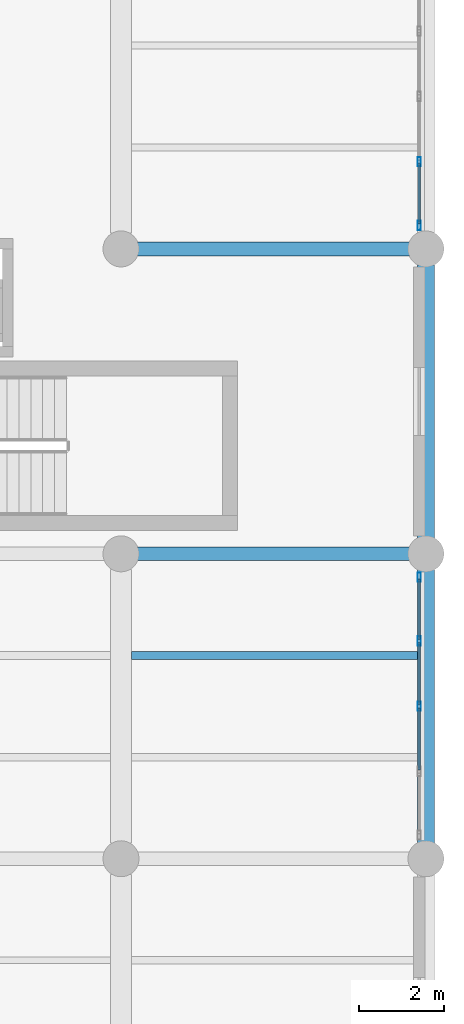
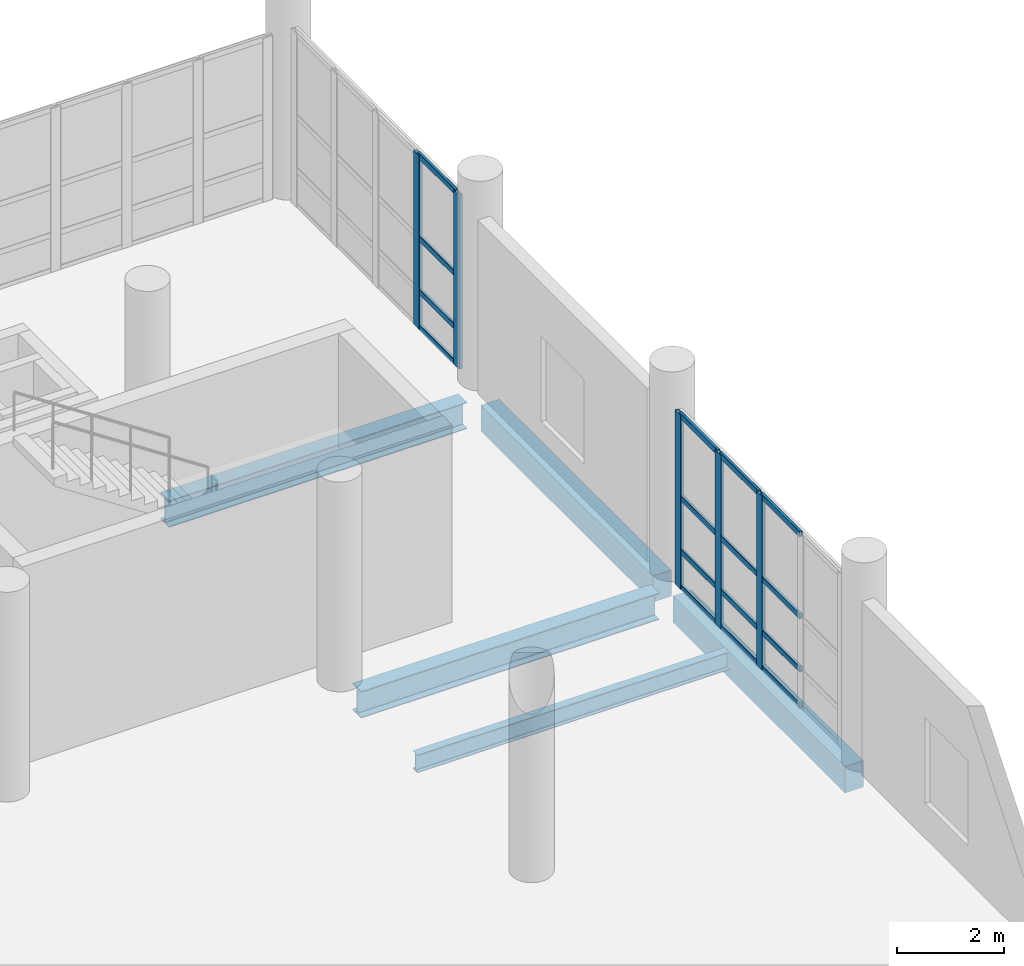
# One storey, part 71 of 127: 21 members, 5 beams, 2 elements without a shape of their own.
"""IFC4 building model written with IfcOpenShell, lengths in metres."""

from ifc_helpers import new_model, si_unit, direction, frame, origin, origin_2d, place, context, subcontext, project, spatial, rectangle, hollow_rectangle, i_section, extrude, material, material_profile, profile_set, type_object, element, aggregate, save


model = new_model("IFC4")

# Units and contexts
model_context = context("Model", 3, precision=1e-05, world=origin(), true_north=direction((0.0, 1.0)))
body_context = subcontext(model_context, "Body", "Model", "MODEL_VIEW")
ifc_project = project(units=[si_unit("LENGTHUNIT", "METRE"), si_unit("AREAUNIT", "SQUARE_METRE"), si_unit("VOLUMEUNIT", "CUBIC_METRE"), si_unit("PLANEANGLEUNIT", "RADIAN"), si_unit("MASSUNIT", "GRAM", prefix="KILO")], contexts=[model_context])

# Site, building, storey
site_placement = place(None, origin())
site = spatial("IfcSite", under=ifc_project, at=site_placement, CompositionType="ELEMENT")
building_placement = place(site_placement, origin())
building = spatial("IfcBuilding", under=site, at=building_placement, Name="Kalmorath City Hall", CompositionType="ELEMENT")
storey_placement = place(building_placement, frame((0.0, 0.0, 5.39990234375)))
storey = spatial("IfcBuildingStorey", under=building, at=storey_placement, Name="L01", CompositionType="ELEMENT", Elevation=5.39990234375)

# Beams
ifc_material_1 = material(Name="Concrete C40/50", Category="concrete")
ifc_material_profile_1 = material_profile(ifc_material_1, rectangle(XDim=0.39990234375, YDim=0.60009765625, at=origin_2d()), Name="RC-BM-400X600")
ifc_profile_set_1 = profile_set([ifc_material_profile_1], Name="Concrete C40/50")
beam_type_1 = type_object("IfcBeamType", Name="Concrete edge beam 400x600", PredefinedType="SPANDREL", material=ifc_profile_set_1)
beam_1_placement = place(storey_placement, frame((165.60009765625, 79.574951171875, -0.6240234375), z_axis=(0.0, 1.0, 0.0), x_axis=(-1.0, 0.0, 0.0)))
element("IfcBeam", 1, at=beam_1_placement, inside=storey, type_object=beam_type_1, Name="L01 girder CB6 Y24/12-13", PredefinedType="SPANDREL", context=body_context, shape_type="SweptSolid", body=[
    extrude(rectangle(XDim=0.39990234375, YDim=0.60009765625, at=origin_2d()), origin(), (0.0, 0.0, 1.0), 6.449951171875),
])
beam_2_placement = place(storey_placement, frame((165.60009765625, 86.77490234375, -0.6240234375), z_axis=(0.0, 1.0, 0.0), x_axis=(-1.0, 0.0, 0.0)))
element("IfcBeam", 2, at=beam_2_placement, inside=storey, type_object=beam_type_1, Name="L01 girder CB6 Y24/13-14", PredefinedType="SPANDREL", context=body_context, shape_type="SweptSolid", body=[
    extrude(rectangle(XDim=0.39990234375, YDim=0.60009765625, at=origin_2d()), origin(), (0.0, 0.0, 1.0), 6.4501953125),
])

# Curtain wall, members
ifc_material_2 = material(Name="Anodised aluminium and laminated glass", Category="aluminium")
curtain_wall_type = type_object("IfcCurtainWallType", Name="Unitised hurricane curtain wall 6170x3976 M1650", PredefinedType="NOTDEFINED", material=ifc_material_2)
curtain_wall_1_placement = place(storey_placement, origin())
curtain_wall_1 = element("IfcCurtainWall", 3, at=curtain_wall_1_placement, inside=storey, type_object=curtain_wall_type, Name="L01 curtain wall CW-62X40M16 #63", PredefinedType="NOTDEFINED")
ifc_material_3 = material(Name="Anodised aluminium framing", Category="aluminium")
ifc_material_profile_2 = material_profile(ifc_material_3, hollow_rectangle(XDim=0.06005859375, YDim=0.1298828125, WallThickness=0.00341796875, InnerFilletRadius=0.00341796875, OuterFilletRadius=0.007080078125, at=origin_2d()), Name="ALU-TRN-130X60X3.5")
ifc_profile_set_2 = profile_set([ifc_material_profile_2], Name="Anodised aluminium framing")
member_type_1 = type_object("IfcMemberType", Name="Curtain-wall courtyard transom 130x60", PredefinedType="USERDEFINED", material=ifc_profile_set_2)
member_1_placement = place(storey_placement, frame((165.43994140625, 95.6201171875, 0.030029296875), z_axis=(0.0, -1.0, 0.0), x_axis=(1.0, 0.0, 0.0)))
member_1 = element("IfcMember", 4, at=member_1_placement, type_object=member_type_1, Name="CW-62X40M16 transom 4.1", ObjectType="TRANSOM", PredefinedType="USERDEFINED", context=body_context, shape_type="SweptSolid", body=[
    extrude(hollow_rectangle(XDim=0.06005859375, YDim=0.1298828125, WallThickness=0.00341796875, InnerFilletRadius=0.00341796875, OuterFilletRadius=0.007080078125, at=origin_2d()), origin(), (0.0, 0.0, 1.0), 1.43017578125),
])
member_2_placement = place(storey_placement, frame((165.43994140625, 95.6201171875, 0.85009765625), z_axis=(0.0, -1.0, 0.0), x_axis=(1.0, 0.0, 0.0)))
member_2 = element("IfcMember", 5, at=member_2_placement, type_object=member_type_1, Name="CW-62X40M16 transom 4.2", ObjectType="TRANSOM", PredefinedType="USERDEFINED", context=body_context, shape_type="SweptSolid", body=[
    extrude(hollow_rectangle(XDim=0.06005859375, YDim=0.1298828125, WallThickness=0.00341796875, InnerFilletRadius=0.00341796875, OuterFilletRadius=0.007080078125, at=origin_2d()), origin(), (0.0, 0.0, 1.0), 1.43017578125),
])
member_3_placement = place(storey_placement, frame((165.43994140625, 95.6201171875, 2.068115234375), z_axis=(0.0, -1.0, 0.0), x_axis=(1.0, 0.0, 0.0)))
member_3 = element("IfcMember", 6, at=member_3_placement, type_object=member_type_1, Name="CW-62X40M16 transom 4.3", ObjectType="TRANSOM", PredefinedType="USERDEFINED", context=body_context, shape_type="SweptSolid", body=[
    extrude(hollow_rectangle(XDim=0.06005859375, YDim=0.1298828125, WallThickness=0.00341796875, InnerFilletRadius=0.00341796875, OuterFilletRadius=0.007080078125, at=origin_2d()), origin(), (0.0, 0.0, 1.0), 1.43017578125),
])
member_4_placement = place(storey_placement, frame((165.43994140625, 95.6201171875, 3.946044921875), z_axis=(0.0, -1.0, 0.0), x_axis=(1.0, 0.0, 0.0)))
member_4 = element("IfcMember", 7, at=member_4_placement, type_object=member_type_1, Name="CW-62X40M16 transom 4.4", ObjectType="TRANSOM", PredefinedType="USERDEFINED", context=body_context, shape_type="SweptSolid", body=[
    extrude(hollow_rectangle(XDim=0.06005859375, YDim=0.1298828125, WallThickness=0.00341796875, InnerFilletRadius=0.00341796875, OuterFilletRadius=0.007080078125, at=origin_2d()), origin(), (0.0, 0.0, 1.0), 1.43017578125),
])

curtain_wall_2_placement = place(storey_placement, origin())
curtain_wall_2 = element("IfcCurtainWall", 8, at=curtain_wall_2_placement, inside=storey, type_object=curtain_wall_type, Name="L01 curtain wall CW-62X40M16 #64", PredefinedType="NOTDEFINED")
member_5_placement = place(storey_placement, frame((165.43994140625, 85.81005859375, 0.030029296875), z_axis=(0.0, -1.0, 0.0), x_axis=(1.0, 0.0, 0.0)))
member_5 = element("IfcMember", 9, at=member_5_placement, type_object=member_type_1, Name="CW-62X40M16 transom 1.1", ObjectType="TRANSOM", PredefinedType="USERDEFINED", context=body_context, shape_type="SweptSolid", body=[
    extrude(hollow_rectangle(XDim=0.06005859375, YDim=0.1298828125, WallThickness=0.00341796875, InnerFilletRadius=0.00341796875, OuterFilletRadius=0.007080078125, at=origin_2d()), origin(), (0.0, 0.0, 1.0), 1.43017578125),
])
member_6_placement = place(storey_placement, frame((165.43994140625, 85.81005859375, 0.85009765625), z_axis=(0.0, -1.0, 0.0), x_axis=(1.0, 0.0, 0.0)))
member_6 = element("IfcMember", 10, at=member_6_placement, type_object=member_type_1, Name="CW-62X40M16 transom 1.2", ObjectType="TRANSOM", PredefinedType="USERDEFINED", context=body_context, shape_type="SweptSolid", body=[
    extrude(hollow_rectangle(XDim=0.06005859375, YDim=0.1298828125, WallThickness=0.00341796875, InnerFilletRadius=0.00341796875, OuterFilletRadius=0.007080078125, at=origin_2d()), origin(), (0.0, 0.0, 1.0), 1.43017578125),
])
member_7_placement = place(storey_placement, frame((165.43994140625, 85.81005859375, 2.068115234375), z_axis=(0.0, -1.0, 0.0), x_axis=(1.0, 0.0, 0.0)))
member_7 = element("IfcMember", 11, at=member_7_placement, type_object=member_type_1, Name="CW-62X40M16 transom 1.3", ObjectType="TRANSOM", PredefinedType="USERDEFINED", context=body_context, shape_type="SweptSolid", body=[
    extrude(hollow_rectangle(XDim=0.06005859375, YDim=0.1298828125, WallThickness=0.00341796875, InnerFilletRadius=0.00341796875, OuterFilletRadius=0.007080078125, at=origin_2d()), origin(), (0.0, 0.0, 1.0), 1.43017578125),
])
member_8_placement = place(storey_placement, frame((165.43994140625, 85.81005859375, 3.946044921875), z_axis=(0.0, -1.0, 0.0), x_axis=(1.0, 0.0, 0.0)))
member_8 = element("IfcMember", 12, at=member_8_placement, type_object=member_type_1, Name="CW-62X40M16 transom 1.4", ObjectType="TRANSOM", PredefinedType="USERDEFINED", context=body_context, shape_type="SweptSolid", body=[
    extrude(hollow_rectangle(XDim=0.06005859375, YDim=0.1298828125, WallThickness=0.00341796875, InnerFilletRadius=0.00341796875, OuterFilletRadius=0.007080078125, at=origin_2d()), origin(), (0.0, 0.0, 1.0), 1.43017578125),
])
member_9_placement = place(storey_placement, frame((165.43994140625, 84.304931640625, 0.030029296875), z_axis=(0.0, -1.0, 0.0), x_axis=(1.0, 0.0, 0.0)))
member_9 = element("IfcMember", 13, at=member_9_placement, type_object=member_type_1, Name="CW-62X40M16 transom 2.1", ObjectType="TRANSOM", PredefinedType="USERDEFINED", context=body_context, shape_type="SweptSolid", body=[
    extrude(hollow_rectangle(XDim=0.06005859375, YDim=0.1298828125, WallThickness=0.00341796875, InnerFilletRadius=0.00341796875, OuterFilletRadius=0.007080078125, at=origin_2d()), origin(), (0.0, 0.0, 1.0), 1.467529296875),
])
member_10_placement = place(storey_placement, frame((165.43994140625, 84.304931640625, 0.85009765625), z_axis=(0.0, -1.0, 0.0), x_axis=(1.0, 0.0, 0.0)))
member_10 = element("IfcMember", 14, at=member_10_placement, type_object=member_type_1, Name="CW-62X40M16 transom 2.2", ObjectType="TRANSOM", PredefinedType="USERDEFINED", context=body_context, shape_type="SweptSolid", body=[
    extrude(hollow_rectangle(XDim=0.06005859375, YDim=0.1298828125, WallThickness=0.00341796875, InnerFilletRadius=0.00341796875, OuterFilletRadius=0.007080078125, at=origin_2d()), origin(), (0.0, 0.0, 1.0), 1.467529296875),
])
member_11_placement = place(storey_placement, frame((165.43994140625, 84.304931640625, 2.068115234375), z_axis=(0.0, -1.0, 0.0), x_axis=(1.0, 0.0, 0.0)))
member_11 = element("IfcMember", 15, at=member_11_placement, type_object=member_type_1, Name="CW-62X40M16 transom 2.3", ObjectType="TRANSOM", PredefinedType="USERDEFINED", context=body_context, shape_type="SweptSolid", body=[
    extrude(hollow_rectangle(XDim=0.06005859375, YDim=0.1298828125, WallThickness=0.00341796875, InnerFilletRadius=0.00341796875, OuterFilletRadius=0.007080078125, at=origin_2d()), origin(), (0.0, 0.0, 1.0), 1.467529296875),
])
member_12_placement = place(storey_placement, frame((165.43994140625, 84.304931640625, 3.946044921875), z_axis=(0.0, -1.0, 0.0), x_axis=(1.0, 0.0, 0.0)))
member_12 = element("IfcMember", 16, at=member_12_placement, type_object=member_type_1, Name="CW-62X40M16 transom 2.4", ObjectType="TRANSOM", PredefinedType="USERDEFINED", context=body_context, shape_type="SweptSolid", body=[
    extrude(hollow_rectangle(XDim=0.06005859375, YDim=0.1298828125, WallThickness=0.00341796875, InnerFilletRadius=0.00341796875, OuterFilletRadius=0.007080078125, at=origin_2d()), origin(), (0.0, 0.0, 1.0), 1.467529296875),
])
member_13_placement = place(storey_placement, frame((165.43994140625, 82.762451171875, 0.030029296875), z_axis=(0.0, -1.0, 0.0), x_axis=(1.0, 0.0, 0.0)))
member_13 = element("IfcMember", 17, at=member_13_placement, type_object=member_type_1, Name="CW-62X40M16 transom 3.1", ObjectType="TRANSOM", PredefinedType="USERDEFINED", context=body_context, shape_type="SweptSolid", body=[
    extrude(hollow_rectangle(XDim=0.06005859375, YDim=0.1298828125, WallThickness=0.00341796875, InnerFilletRadius=0.00341796875, OuterFilletRadius=0.007080078125, at=origin_2d()), origin(), (0.0, 0.0, 1.0), 1.467529296875),
])
member_14_placement = place(storey_placement, frame((165.43994140625, 82.762451171875, 0.85009765625), z_axis=(0.0, -1.0, 0.0), x_axis=(1.0, 0.0, 0.0)))
member_14 = element("IfcMember", 18, at=member_14_placement, type_object=member_type_1, Name="CW-62X40M16 transom 3.2", ObjectType="TRANSOM", PredefinedType="USERDEFINED", context=body_context, shape_type="SweptSolid", body=[
    extrude(hollow_rectangle(XDim=0.06005859375, YDim=0.1298828125, WallThickness=0.00341796875, InnerFilletRadius=0.00341796875, OuterFilletRadius=0.007080078125, at=origin_2d()), origin(), (0.0, 0.0, 1.0), 1.467529296875),
])
member_15_placement = place(storey_placement, frame((165.43994140625, 82.762451171875, 2.068115234375), z_axis=(0.0, -1.0, 0.0), x_axis=(1.0, 0.0, 0.0)))
member_15 = element("IfcMember", 19, at=member_15_placement, type_object=member_type_1, Name="CW-62X40M16 transom 3.3", ObjectType="TRANSOM", PredefinedType="USERDEFINED", context=body_context, shape_type="SweptSolid", body=[
    extrude(hollow_rectangle(XDim=0.06005859375, YDim=0.1298828125, WallThickness=0.00341796875, InnerFilletRadius=0.00341796875, OuterFilletRadius=0.007080078125, at=origin_2d()), origin(), (0.0, 0.0, 1.0), 1.467529296875),
])
member_16_placement = place(storey_placement, frame((165.43994140625, 82.762451171875, 3.946044921875), z_axis=(0.0, -1.0, 0.0), x_axis=(1.0, 0.0, 0.0)))
member_16 = element("IfcMember", 20, at=member_16_placement, type_object=member_type_1, Name="CW-62X40M16 transom 3.4", ObjectType="TRANSOM", PredefinedType="USERDEFINED", context=body_context, shape_type="SweptSolid", body=[
    extrude(hollow_rectangle(XDim=0.06005859375, YDim=0.1298828125, WallThickness=0.00341796875, InnerFilletRadius=0.00341796875, OuterFilletRadius=0.007080078125, at=origin_2d()), origin(), (0.0, 0.0, 1.0), 1.467529296875),
])

# Member
ifc_material_4 = material(Name="Anodised aluminium framing", Category="aluminium")
ifc_material_profile_3 = material_profile(ifc_material_4, hollow_rectangle(XDim=0.074951171875, YDim=0.219970703125, WallThickness=0.00390625, InnerFilletRadius=0.00390625, OuterFilletRadius=0.008056640625, at=origin_2d()), Name="ALU-MUL-220X75X4")
ifc_profile_set_3 = profile_set([ifc_material_profile_3], Name="Anodised aluminium framing")
member_type_2 = type_object("IfcMemberType", Name="Curtain-wall primary mullion 220x75", PredefinedType="MULLION", material=ifc_profile_set_3)
member_17_placement = place(storey_placement, frame((165.43994140625, 95.657470703125, 0.0), z_axis=(0.0, 0.0, 1.0), x_axis=(1.0, 0.0, 0.0)))
member_17 = element("IfcMember", 21, at=member_17_placement, type_object=member_type_2, Name="CW-62X40M16 mullion 4", PredefinedType="MULLION", context=body_context, shape_type="SweptSolid", body=[
    extrude(hollow_rectangle(XDim=0.074951171875, YDim=0.219970703125, WallThickness=0.00390625, InnerFilletRadius=0.00390625, OuterFilletRadius=0.008056640625, at=origin_2d()), origin(), (0.0, 0.0, 1.0), 3.97607421875),
])

member_18_placement = place(storey_placement, frame((165.43994140625, 94.152587890625, 0.0), z_axis=(0.0, 0.0, 1.0), x_axis=(1.0, 0.0, 0.0)))
member_18 = element("IfcMember", 22, at=member_18_placement, type_object=member_type_2, Name="CW-62X40M16 mullion 5", PredefinedType="MULLION", context=body_context, shape_type="SweptSolid", body=[
    extrude(hollow_rectangle(XDim=0.074951171875, YDim=0.219970703125, WallThickness=0.00390625, InnerFilletRadius=0.00390625, OuterFilletRadius=0.008056640625, at=origin_2d()), origin(), (0.0, 0.0, 1.0), 3.97607421875),
])

aggregate(curtain_wall_1, [member_17, member_18, member_1, member_2, member_3, member_4])

member_19_placement = place(storey_placement, frame((165.43994140625, 85.847412109375, 0.0), z_axis=(0.0, 0.0, 1.0), x_axis=(1.0, 0.0, 0.0)))
member_19 = element("IfcMember", 23, at=member_19_placement, type_object=member_type_2, Name="CW-62X40M16 mullion 1", PredefinedType="MULLION", context=body_context, shape_type="SweptSolid", body=[
    extrude(hollow_rectangle(XDim=0.074951171875, YDim=0.219970703125, WallThickness=0.00390625, InnerFilletRadius=0.00390625, OuterFilletRadius=0.008056640625, at=origin_2d()), origin(), (0.0, 0.0, 1.0), 3.97607421875),
])

member_20_placement = place(storey_placement, frame((165.43994140625, 84.342529296875, 0.0), z_axis=(0.0, 0.0, 1.0), x_axis=(1.0, 0.0, 0.0)))
member_20 = element("IfcMember", 24, at=member_20_placement, type_object=member_type_2, Name="CW-62X40M16 mullion 2", PredefinedType="MULLION", context=body_context, shape_type="SweptSolid", body=[
    extrude(hollow_rectangle(XDim=0.074951171875, YDim=0.219970703125, WallThickness=0.00390625, InnerFilletRadius=0.00390625, OuterFilletRadius=0.008056640625, at=origin_2d()), origin(), (0.0, 0.0, 1.0), 3.97607421875),
])

member_21_placement = place(storey_placement, frame((165.43994140625, 82.800048828125, 0.0), z_axis=(0.0, 0.0, 1.0), x_axis=(1.0, 0.0, 0.0)))
member_21 = element("IfcMember", 25, at=member_21_placement, type_object=member_type_2, Name="CW-62X40M16 mullion 3", PredefinedType="MULLION", context=body_context, shape_type="SweptSolid", body=[
    extrude(hollow_rectangle(XDim=0.074951171875, YDim=0.219970703125, WallThickness=0.00390625, InnerFilletRadius=0.00390625, OuterFilletRadius=0.008056640625, at=origin_2d()), origin(), (0.0, 0.0, 1.0), 3.97607421875),
])

aggregate(curtain_wall_2, [member_19, member_20, member_21, member_5, member_6, member_7, member_8, member_9, member_10, member_11, member_12, member_13, member_14, member_15, member_16])

# Beams
ifc_material_5 = material(Name="Steel ASTM A992 Grade 50", Category="steel")
ifc_material_profile_4 = material_profile(ifc_material_5, i_section(OverallWidth=0.178955078125, OverallDepth=0.409912109375, WebThickness=0.0087890625, FlangeThickness=0.014404296875, FilletRadius=0.012939453125, at=origin_2d()), Name="W16X45")
ifc_profile_set_4 = profile_set([ifc_material_profile_4], Name="Steel ASTM A992 Grade 50")
beam_type_2 = type_object("IfcBeamType", Name="Steel composite joist W16X45", PredefinedType="JOIST", material=ifc_profile_set_4)
beam_3_placement = place(storey_placement, frame((158.64990234375, 84.0, -0.52880859375), z_axis=(1.0, 0.0, 0.0), x_axis=(0.0, 1.0, 0.0)))
element("IfcBeam", 26, at=beam_3_placement, inside=storey, type_object=beam_type_2, Name="L01 joist SJ6 23.12.2", PredefinedType="JOIST", context=body_context, shape_type="SweptSolid", body=[
    extrude(i_section(OverallWidth=0.178955078125, OverallDepth=0.409912109375, WebThickness=0.0087890625, FlangeThickness=0.014404296875, FilletRadius=0.012939453125, at=origin_2d()), origin(), (0.0, 0.0, 1.0), 6.75),
])
ifc_material_6 = material(Name="Steel ASTM A992 Grade 50", Category="steel")
ifc_material_profile_5 = material_profile(ifc_material_6, i_section(OverallWidth=0.323974609375, OverallDepth=0.611083984375, WebThickness=0.0126953125, FlangeThickness=0.01904296875, FilletRadius=0.01611328125, at=origin_2d()), Name="W24X104")
ifc_profile_set_5 = profile_set([ifc_material_profile_5], Name="Steel ASTM A992 Grade 50")
beam_type_3 = type_object("IfcBeamType", Name="Steel floor girder W24X104", PredefinedType="BEAM", material=ifc_profile_set_5)
for number, where, z_axis, x_axis, name in (
    (27, (158.77490234375, 86.39990234375, -0.62939453125), (1.0, 0.0, 0.0), (0.0, 1.0, 0.0), "L01 girder SG7 X23-24/13"),
    (28, (158.77490234375, 93.60009765625, -0.62939453125), (1.0, 0.0, 0.0), (0.0, 1.0, 0.0), "L01 girder SG7 X23-24/14"),
):
    element("IfcBeam", number, at=place(storey_placement, frame(where, z_axis=z_axis, x_axis=x_axis)), inside=storey, type_object=beam_type_3, Name=name, PredefinedType="BEAM", context=body_context, shape_type="SweptSolid", body=[
        extrude(i_section(OverallWidth=0.323974609375, OverallDepth=0.611083984375, WebThickness=0.0126953125, FlangeThickness=0.01904296875, FilletRadius=0.01611328125, at=origin_2d()), origin(), (0.0, 0.0, 1.0), 6.4501953125),
    ])

save(model, "model.ifc")
